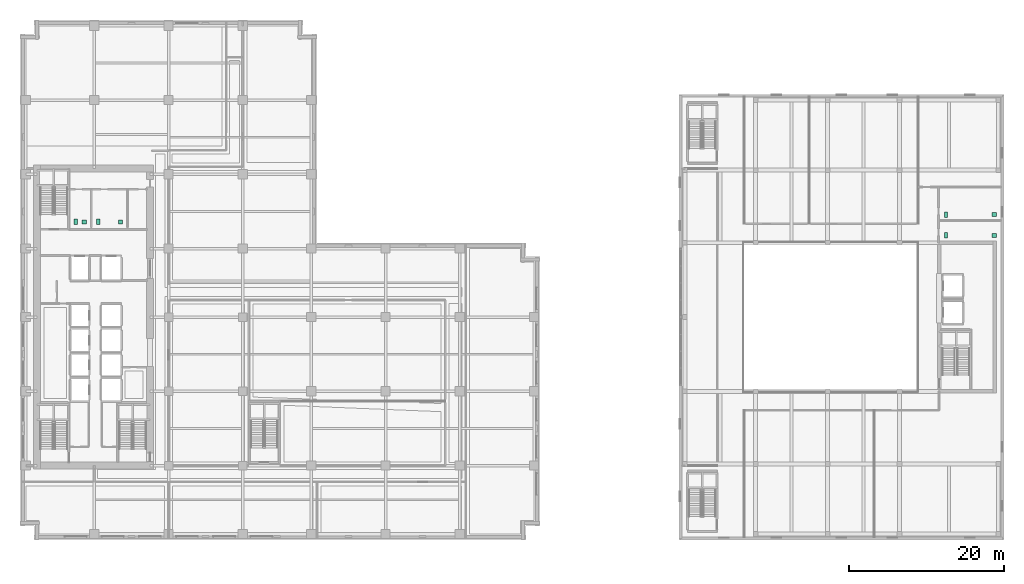
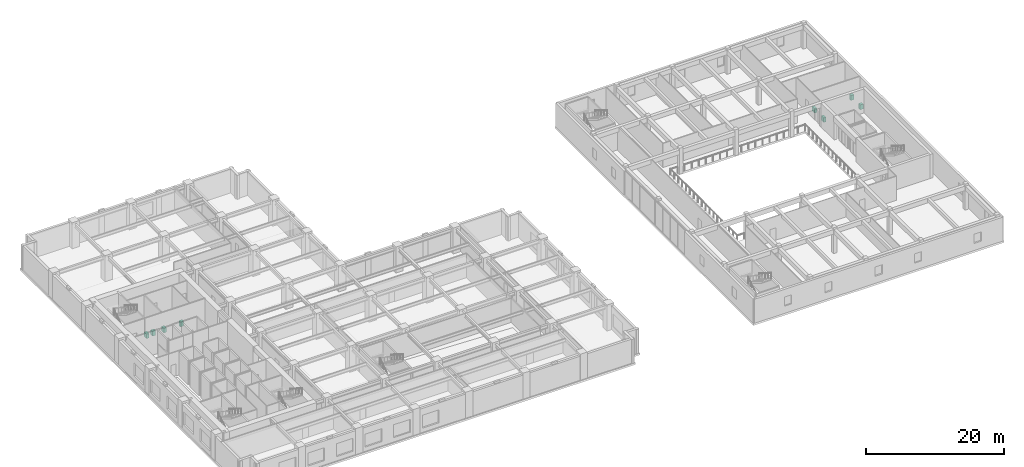
# One storey, part 24 of 24: 8 sanitary terminals.
"""IFC4 building model written with IfcOpenShell, lengths in metres."""

from ifc_helpers import new_model, si_unit, direction, frame, origin, origin_2d, place, context, subcontext, project, spatial, rectangle, extrude, material, type_object, element, save


model = new_model("IFC4")

# Units and contexts
model_context = context("Model", 3, precision=1e-05, world=origin(), true_north=direction((0.0, 1.0)))
body_context = subcontext(model_context, "Body", "Model", "MODEL_VIEW")
ifc_project = project(units=[si_unit("LENGTHUNIT", "METRE"), si_unit("AREAUNIT", "SQUARE_METRE"), si_unit("VOLUMEUNIT", "CUBIC_METRE"), si_unit("PLANEANGLEUNIT", "RADIAN"), si_unit("MASSUNIT", "GRAM", prefix="KILO")], contexts=[model_context])

# Site, building, storey
site_placement = place(None, origin())
site = spatial("IfcSite", under=ifc_project, at=site_placement, CompositionType="ELEMENT")
building_placement = place(site_placement, origin())
building = spatial("IfcBuilding", under=site, at=building_placement, Name="Norrvale University Quadrangle", CompositionType="ELEMENT")
storey_placement = place(building_placement, frame((0.0, 0.0, 15.0)))
storey = spatial("IfcBuildingStorey", under=building, at=storey_placement, Name="L03", CompositionType="ELEMENT", Elevation=15.0)

# Sanitary terminals
ifc_material = material(Name="Vitreous China Sanitaryware")
sanitary_terminal_type_1 = type_object("IfcSanitaryTerminalType", Name="Sanitary Wash Basin", PredefinedType="WASHHANDBASIN", material=ifc_material)
for number, where, z_axis, x_axis, name in (
    (1, (8.300048828125, 41.10009765625, 0.0), (0.0, 0.0, 1.0), (1.0, 0.0, 0.0), "Accessible Countertop Washbasin L03-1"),
    (2, (13.0, 41.10009765625, 0.0), (0.0, 0.0, 1.0), (1.0, 0.0, 0.0), "Accessible Countertop Washbasin L03-2"),
    (3, (125.949951171875, 39.35009765625, 0.0), (0.0, 0.0, 1.0), (1.0, 0.0, 0.0), "Accessible Countertop Washbasin L03-3"),
    (4, (125.949951171875, 42.050048828125, 0.0), (0.0, 0.0, 1.0), (1.0, 0.0, 0.0), "Accessible Countertop Washbasin L03-4"),
):
    element("IfcSanitaryTerminal", number, at=place(storey_placement, frame(where, z_axis=z_axis, x_axis=x_axis)), inside=storey, type_object=sanitary_terminal_type_1, Name=name, PredefinedType="WASHHANDBASIN", context=body_context, shape_type="SweptSolid", body=[
        extrude(rectangle(XDim=0.550048828125, YDim=0.47998046875, at=origin_2d()), origin(), (0.0, 0.0, 1.0), 0.85009765625),
    ])
sanitary_terminal_type_2 = type_object("IfcSanitaryTerminalType", Name="Sanitary Water Closet", PredefinedType="TOILETPAN", material=ifc_material)
for number, where, z_axis, x_axis, name in (
    (5, (7.199951171875, 41.10009765625, 0.0), (0.0, 0.0, 1.0), (1.0, 0.0, 0.0), "Wall-Hung Water Closet L03-1"),
    (6, (10.10009765625, 41.10009765625, 0.0), (0.0, 0.0, 1.0), (1.0, 0.0, 0.0), "Wall-Hung Water Closet L03-2"),
    (7, (119.699951171875, 39.35009765625, 0.0), (0.0, 0.0, 1.0), (1.0, 0.0, 0.0), "Wall-Hung Water Closet L03-3"),
    (8, (119.699951171875, 42.050048828125, 0.0), (0.0, 0.0, 1.0), (1.0, 0.0, 0.0), "Wall-Hung Water Closet L03-4"),
):
    element("IfcSanitaryTerminal", number, at=place(storey_placement, frame(where, z_axis=z_axis, x_axis=x_axis)), inside=storey, type_object=sanitary_terminal_type_2, Name=name, PredefinedType="TOILETPAN", context=body_context, shape_type="SweptSolid", body=[
        extrude(rectangle(XDim=0.419921875, YDim=0.699951171875, at=origin_2d()), origin(), (0.0, 0.0, 1.0), 0.780029296875),
    ])

save(model, "model.ifc")
